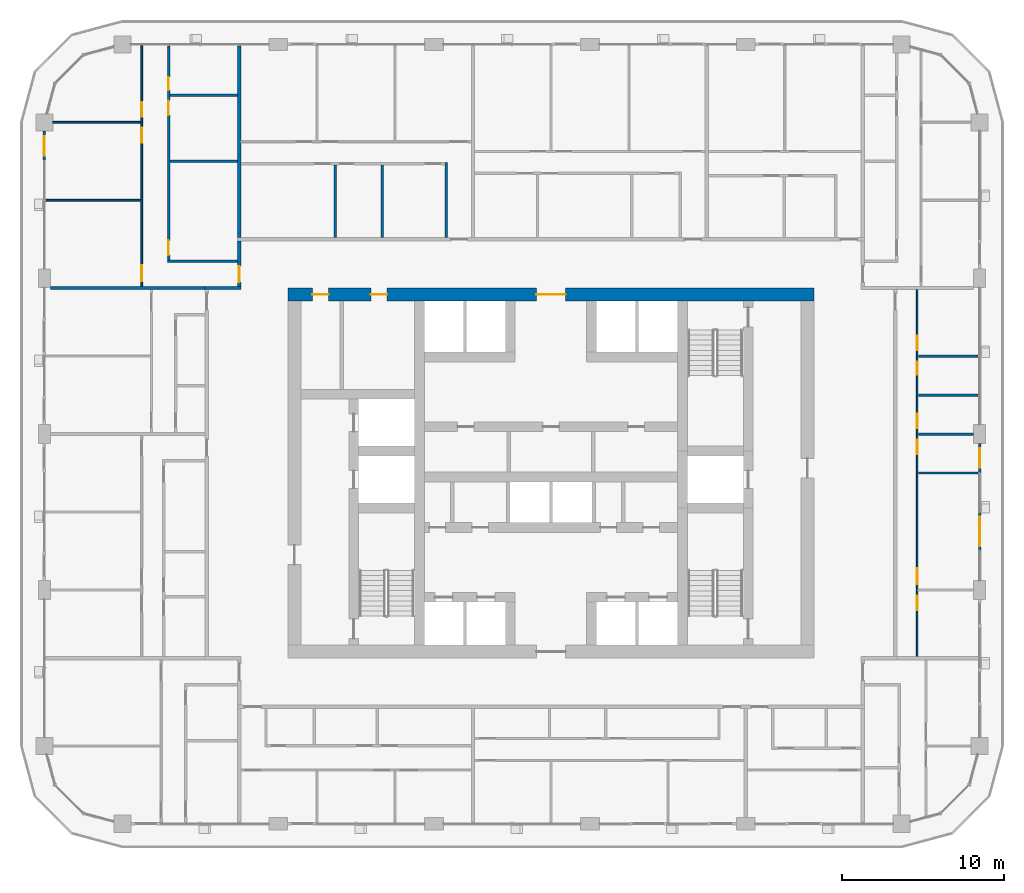
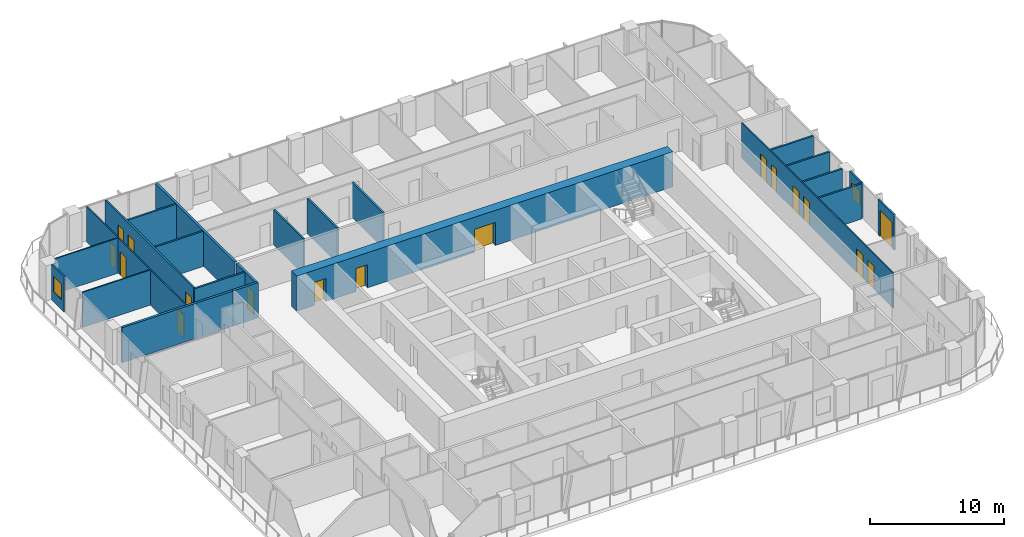
# One storey, part 13 of 22: 23 walls, 17 doors, 2 windows, 19 openings.
"""IFC4 building model written with IfcOpenShell, lengths in metres."""

from ifc_helpers import new_model, si_unit, direction, frame, frame_2d, origin, place, context, subcontext, project, spatial, rectangle, extrude, material, layer, layer_set, type_object, element, fill, save


model = new_model("IFC4")

# Units and contexts
model_context = context("Model", 3, precision=1e-05, world=origin(), true_north=direction((0.0, 1.0)))
body_context = subcontext(model_context, "Body", "Model", "MODEL_VIEW")
ifc_project = project(units=[si_unit("LENGTHUNIT", "METRE"), si_unit("AREAUNIT", "SQUARE_METRE"), si_unit("VOLUMEUNIT", "CUBIC_METRE"), si_unit("PLANEANGLEUNIT", "RADIAN"), si_unit("MASSUNIT", "GRAM", prefix="KILO")], contexts=[model_context])

# Site, building, storey
site_placement = place(None, origin())
site = spatial("IfcSite", under=ifc_project, at=site_placement, CompositionType="ELEMENT")
building_placement = place(site_placement, origin())
building = spatial("IfcBuilding", under=site, at=building_placement, Name="Madar Terraces", CompositionType="ELEMENT")
storey_placement = place(building_placement, frame((0.0, 0.0, 122.60009765625)))
storey = spatial("IfcBuildingStorey", under=building, at=storey_placement, Name="L31", CompositionType="ELEMENT", Elevation=122.60009765625)

# Wall, openings, doors
ifc_material_1 = material(Name="Concrete C70/85", Category="concrete")
ifc_layer_1 = layer(ifc_material_1, 0.800048828125)
ifc_layer_set_1 = layer_set([ifc_layer_1], Name="Concrete C70/85 (CRW3 RC wall 800)")
wall_type_1 = type_object("IfcWallType", Name="CRW3 RC wall 800", PredefinedType="SHEAR", material=ifc_layer_set_1)
wall_1_placement = place(storey_placement, frame((15.0, 37.39990234375, 0.0), z_axis=(0.0, 0.0, 1.0), x_axis=(1.0, 0.0, 0.0)))
wall_1 = element("IfcWall", 1, at=wall_1_placement, inside=storey, type_object=wall_type_1, Name="CORE OUTER WALL", PredefinedType="SHEAR", context=body_context, shape_type="SweptSolid", body=[
    extrude(rectangle(XDim=32.39990234375, YDim=0.800048828125, at=frame_2d((16.199951171875, 0.0))), origin(), (0.0, 0.0, 1.0), 3.199951171875),
])
opening_1_placement = place(wall_1_placement, frame((15.300048828125, 0.0, 0.0)))
opening_1 = element("IfcOpeningElement", 2, at=opening_1_placement, cuts=wall_1, Name="Opening KD1", PredefinedType="OPENING", context=body_context, shape_type="SweptSolid", body=[
    extrude(rectangle(XDim=1.800048828125, YDim=2.10009765625, at=frame_2d((0.89990234375, 1.050048828125))), frame((0.0, 0.409912109375, 0.0), z_axis=(0.0, -1.0, 0.0), x_axis=(1.0, 0.0, 0.0)), (0.0, 0.0, 1.0), 0.820068359375),
])
opening_2_placement = place(wall_1_placement, frame((1.510009765625, 0.0, 0.0)))
opening_2 = element("IfcOpeningElement", 3, at=opening_2_placement, cuts=wall_1, Name="Opening KD2", PredefinedType="OPENING", context=body_context, shape_type="SweptSolid", body=[
    extrude(rectangle(XDim=1.0, YDim=2.10009765625, at=frame_2d((0.5, 1.050048828125))), frame((0.0, 0.409912109375, 0.0), z_axis=(0.0, -1.0, 0.0), x_axis=(1.0, 0.0, 0.0)), (0.0, 0.0, 1.0), 0.820068359375),
])
opening_3_placement = place(wall_1_placement, frame((5.110107421875, 0.0, 0.0)))
opening_3 = element("IfcOpeningElement", 4, at=opening_3_placement, cuts=wall_1, Name="Opening KD2", PredefinedType="OPENING", context=body_context, shape_type="SweptSolid", body=[
    extrude(rectangle(XDim=1.0, YDim=2.10009765625, at=frame_2d((0.5, 1.050048828125))), frame((0.0, 0.409912109375, 0.0), z_axis=(0.0, -1.0, 0.0), x_axis=(1.0, 0.0, 0.0)), (0.0, 0.0, 1.0), 0.820068359375),
])
ifc_material_2 = material(Name="Steel door leaf", Category="steel")
door_type_1 = type_object("IfcDoorType", Name="Lobby door pair 1800 x 2100", OperationType="DOUBLE_DOOR_SINGLE_SWING", PredefinedType="DOOR", material=ifc_material_2)
door_1_placement = place(opening_1_placement, origin())
door_1 = element("IfcDoor", 5, at=door_1_placement, inside=storey, type_object=door_type_1, Name="LIFT LOBBY DOOR", OperationType="DOUBLE_DOOR_SINGLE_SWING", OverallHeight=2.10009765625, OverallWidth=1.800048828125, PredefinedType="DOOR", context=body_context, shape_type="SweptSolid", body=[
    extrude(rectangle(XDim=1.800048828125, YDim=2.10009765625, at=frame_2d((0.89990234375, 1.050048828125))), frame((0.0, 0.02490234375, 0.0), z_axis=(0.0, -1.0, 0.0), x_axis=(1.0, 0.0, 0.0)), (0.0, 0.0, 1.0), 0.050048828125),
])
fill(opening_1, door_1)
ifc_material_3 = material(Name="Steel door leaf", Category="steel")
door_type_2 = type_object("IfcDoorType", Name="Service room door 1000 x 2100", OperationType="NOTDEFINED", PredefinedType="DOOR", material=ifc_material_3)
door_2_placement = place(opening_2_placement, origin())
door_2 = element("IfcDoor", 6, at=door_2_placement, inside=storey, type_object=door_type_2, Name="SERVICE ROOM DOOR", OperationType="SINGLE_SWING_RIGHT", OverallHeight=2.10009765625, OverallWidth=1.0, PredefinedType="DOOR", context=body_context, shape_type="SweptSolid", body=[
    extrude(rectangle(XDim=1.0, YDim=2.10009765625, at=frame_2d((0.5, 1.050048828125))), frame((0.0, 0.02490234375, 0.0), z_axis=(0.0, -1.0, 0.0), x_axis=(1.0, 0.0, 0.0)), (0.0, 0.0, 1.0), 0.050048828125),
])
fill(opening_2, door_2)
door_3_placement = place(opening_3_placement, origin())
door_3 = element("IfcDoor", 7, at=door_3_placement, inside=storey, type_object=door_type_2, Name="SERVICE ROOM DOOR", OperationType="SINGLE_SWING_LEFT", OverallHeight=2.10009765625, OverallWidth=1.0, PredefinedType="DOOR", context=body_context, shape_type="SweptSolid", body=[
    extrude(rectangle(XDim=1.0, YDim=2.10009765625, at=frame_2d((0.5, 1.050048828125))), frame((0.0, 0.02490234375, 0.0), z_axis=(0.0, -1.0, 0.0), x_axis=(1.0, 0.0, 0.0)), (0.0, 0.0, 1.0), 0.050048828125),
])
fill(opening_3, door_3)

# Wall, opening, door
ifc_material_4 = material(Name="Aluminium composite panel, black, over insulated backing", Category="aluminium")
ifc_layer_2 = layer(ifc_material_4, 0.14990234375)
ifc_layer_set_2 = layer_set([ifc_layer_2], Name="Facade bay panel 150")
wall_type_2 = type_object("IfcWallType", Name="Facade bay panel 150", PredefinedType="SOLIDWALL", material=ifc_layer_set_2)
wall_2_placement = place(storey_placement, frame((57.60009765625, 21.60009765625, 0.0), z_axis=(0.0, 0.0, 1.0), x_axis=(0.0, 1.0, 0.0)))
wall_2 = element("IfcWall", 8, at=wall_2_placement, inside=storey, type_object=wall_type_2, Name="Facade bay panel", PredefinedType="SOLIDWALL", context=body_context, shape_type="SweptSolid", body=[
    extrude(rectangle(XDim=2.39990234375, YDim=0.14990234375, at=frame_2d((1.199951171875, 0.0))), origin(), (0.0, 0.0, 1.0), 3.199951171875),
])
opening_4_placement = place(wall_2_placement, frame((0.300048828125, 0.0, 0.0)))
opening_4 = element("IfcOpeningElement", 9, at=opening_4_placement, cuts=wall_2, Name="Opening ED1", PredefinedType="OPENING", context=body_context, shape_type="SweptSolid", body=[
    extrude(rectangle(XDim=1.800048828125, YDim=2.39990234375, at=frame_2d((0.89990234375, 1.199951171875))), frame((0.0, 0.0849609375, 0.0), z_axis=(0.0, -1.0, 0.0), x_axis=(1.0, 0.0, 0.0)), (0.0, 0.0, 1.0), 0.169921875),
])
ifc_material_5 = material(Name="Glass, clear, with black aluminium frame", Category="aluminium")
door_type_3 = type_object("IfcDoorType", Name="Balcony and terrace sliding door 1800 x 2400", OperationType="SLIDING_TO_LEFT", PredefinedType="DOOR", material=ifc_material_5)
door_4_placement = place(opening_4_placement, origin())
door_4 = element("IfcDoor", 10, at=door_4_placement, inside=storey, type_object=door_type_3, Name="Balcony door", OperationType="SLIDING_TO_RIGHT", OverallHeight=2.39990234375, OverallWidth=1.800048828125, PredefinedType="DOOR", context=body_context, shape_type="SweptSolid", body=[
    extrude(rectangle(XDim=1.800048828125, YDim=2.39990234375, at=frame_2d((0.89990234375, 1.199951171875))), frame((0.0, 0.02490234375, 0.0), z_axis=(0.0, -1.0, 0.0), x_axis=(1.0, 0.0, 0.0)), (0.0, 0.0, 1.0), 0.050048828125),
])
fill(opening_4, door_4)

# Wall, opening, window
wall_3_placement = place(storey_placement, frame((57.60009765625, 26.39990234375, 0.0), z_axis=(0.0, 0.0, 1.0), x_axis=(0.0, 1.0, 0.0)))
wall_3 = element("IfcWall", 11, at=wall_3_placement, inside=storey, type_object=wall_type_2, Name="Facade bay panel", PredefinedType="SOLIDWALL", context=body_context, shape_type="SweptSolid", body=[
    extrude(rectangle(XDim=1.8251953125, YDim=0.14990234375, at=frame_2d((0.91259765625, 0.0))), origin(), (0.0, 0.0, 1.0), 3.199951171875),
])
opening_5_placement = place(wall_3_placement, frame((0.3125, 0.0, 0.89990234375)))
opening_5 = element("IfcOpeningElement", 12, at=opening_5_placement, cuts=wall_3, Name="Opening W1", PredefinedType="OPENING", context=body_context, shape_type="SweptSolid", body=[
    extrude(rectangle(XDim=1.199951171875, YDim=1.39990234375, at=frame_2d((0.60009765625, 0.699951171875))), frame((0.0, 0.0849609375, 0.0), z_axis=(0.0, -1.0, 0.0), x_axis=(1.0, 0.0, 0.0)), (0.0, 0.0, 1.0), 0.169921875),
])
ifc_material_6 = material(Name="Glass, clear, with black aluminium frame", Category="aluminium")
window_type = type_object("IfcWindowType", Name="Vent window 1200 x 1400", PartitioningType="SINGLE_PANEL", PredefinedType="WINDOW", material=ifc_material_6)
window_1_placement = place(opening_5_placement, origin())
window_1 = element("IfcWindow", 13, at=window_1_placement, inside=storey, type_object=window_type, Name="Operable vent window", OverallHeight=1.39990234375, OverallWidth=1.199951171875, PartitioningType="SINGLE_PANEL", PredefinedType="WINDOW", context=body_context, shape_type="SweptSolid", body=[
    extrude(rectangle(XDim=1.199951171875, YDim=1.39990234375, at=frame_2d((0.60009765625, 0.699951171875))), frame((0.0, 0.030029296875, 0.0), z_axis=(0.0, -1.0, 0.0), x_axis=(1.0, 0.0, 0.0)), (0.0, 0.0, 1.0), 0.06005859375),
])
fill(opening_5, window_1)

wall_4_placement = place(storey_placement, frame((0.0, 47.47509765625, 0.0), z_axis=(0.0, 0.0, 1.0), x_axis=(0.0, -1.0, 0.0)))
wall_4 = element("IfcWall", 14, at=wall_4_placement, inside=storey, type_object=wall_type_2, Name="Facade bay panel", PredefinedType="SOLIDWALL", context=body_context, shape_type="SweptSolid", body=[
    extrude(rectangle(XDim=1.875, YDim=0.14990234375, at=frame_2d((0.9375, 0.0))), origin(), (0.0, 0.0, 1.0), 3.199951171875),
])
opening_6_placement = place(wall_4_placement, frame((0.33740234375, 0.0, 0.89990234375)))
opening_6 = element("IfcOpeningElement", 15, at=opening_6_placement, cuts=wall_4, Name="Opening W1", PredefinedType="OPENING", context=body_context, shape_type="SweptSolid", body=[
    extrude(rectangle(XDim=1.199951171875, YDim=1.39990234375, at=frame_2d((0.60009765625, 0.699951171875))), frame((0.0, 0.0849609375, 0.0), z_axis=(0.0, -1.0, 0.0), x_axis=(1.0, 0.0, 0.0)), (0.0, 0.0, 1.0), 0.169921875),
])
window_2_placement = place(opening_6_placement, origin())
window_2 = element("IfcWindow", 16, at=window_2_placement, inside=storey, type_object=window_type, Name="Operable vent window", OverallHeight=1.39990234375, OverallWidth=1.199951171875, PartitioningType="SINGLE_PANEL", PredefinedType="WINDOW", context=body_context, shape_type="SweptSolid", body=[
    extrude(rectangle(XDim=1.199951171875, YDim=1.39990234375, at=frame_2d((0.60009765625, 0.699951171875))), frame((0.0, 0.030029296875, 0.0), z_axis=(0.0, -1.0, 0.0), x_axis=(1.0, 0.0, 0.0)), (0.0, 0.0, 1.0), 0.06005859375),
])
fill(opening_6, window_2)

# Wall, openings, doors
ifc_material_7 = material(Name="Gypsum board on steel studs", Category="steel")
ifc_layer_3 = layer(ifc_material_7, 0.10009765625)
ifc_layer_set_3 = layer_set([ifc_layer_3], Name="Flat partition 100")
wall_type_3 = type_object("IfcWallType", Name="Flat partition 100", PredefinedType="PARTITIONING", material=ifc_layer_set_3)
wall_5_placement = place(storey_placement, frame((53.75, 37.699951171875, 0.0), z_axis=(0.0, 0.0, 1.0), x_axis=(0.0, -1.0, 0.0)))
wall_5 = element("IfcWall", 17, at=wall_5_placement, inside=storey, type_object=wall_type_3, Name="Flat partition 100", PredefinedType="PARTITIONING", context=body_context, shape_type="SweptSolid", body=[
    extrude(rectangle(XDim=22.599853515625, YDim=0.10009765625, at=frame_2d((11.2998046875, 0.0))), origin(), (0.0, 0.0, 1.0), 3.199951171875),
])
opening_7_placement = place(wall_5_placement, frame((2.85009765625, 0.0, 0.0)))
opening_7 = element("IfcOpeningElement", 18, at=opening_7_placement, cuts=wall_5, Name="Opening D2", PredefinedType="OPENING", context=body_context, shape_type="SweptSolid", body=[
    extrude(rectangle(XDim=0.89990234375, YDim=2.10009765625, at=frame_2d((0.449951171875, 1.050048828125))), frame((0.0, 0.06005859375, 0.0), z_axis=(0.0, -1.0, 0.0), x_axis=(1.0, 0.0, 0.0)), (0.0, 0.0, 1.0), 0.1201171875),
])
opening_8_placement = place(wall_5_placement, frame((4.449951171875, 0.0, 0.0)))
opening_8 = element("IfcOpeningElement", 19, at=opening_8_placement, cuts=wall_5, Name="Opening D4", PredefinedType="OPENING", context=body_context, shape_type="SweptSolid", body=[
    extrude(rectangle(XDim=0.800048828125, YDim=2.10009765625, at=frame_2d((0.39990234375, 1.050048828125))), frame((0.0, 0.06005859375, 0.0), z_axis=(0.0, -1.0, 0.0), x_axis=(1.0, 0.0, 0.0)), (0.0, 0.0, 1.0), 0.1201171875),
])
opening_9_placement = place(wall_5_placement, frame((7.64990234375, 0.0, 0.0)))
opening_9 = element("IfcOpeningElement", 20, at=opening_9_placement, cuts=wall_5, Name="Opening D5", PredefinedType="OPENING", context=body_context, shape_type="SweptSolid", body=[
    extrude(rectangle(XDim=0.89990234375, YDim=2.10009765625, at=frame_2d((0.449951171875, 1.050048828125))), frame((0.0, 0.06005859375, 0.0), z_axis=(0.0, -1.0, 0.0), x_axis=(1.0, 0.0, 0.0)), (0.0, 0.0, 1.0), 0.1201171875),
])
opening_10_placement = place(wall_5_placement, frame((9.25, 0.0, 0.0)))
opening_10 = element("IfcOpeningElement", 21, at=opening_10_placement, cuts=wall_5, Name="Opening D2", PredefinedType="OPENING", context=body_context, shape_type="SweptSolid", body=[
    extrude(rectangle(XDim=0.89990234375, YDim=2.10009765625, at=frame_2d((0.449951171875, 1.050048828125))), frame((0.0, 0.06005859375, 0.0), z_axis=(0.0, -1.0, 0.0), x_axis=(1.0, 0.0, 0.0)), (0.0, 0.0, 1.0), 0.1201171875),
])
opening_11_placement = place(wall_5_placement, frame((17.14990234375, 0.0, 0.0)))
opening_11 = element("IfcOpeningElement", 22, at=opening_11_placement, cuts=wall_5, Name="Opening D3", PredefinedType="OPENING", context=body_context, shape_type="SweptSolid", body=[
    extrude(rectangle(XDim=1.0, YDim=2.10009765625, at=frame_2d((0.5, 1.050048828125))), frame((0.0, 0.06005859375, 0.0), z_axis=(0.0, -1.0, 0.0), x_axis=(1.0, 0.0, 0.0)), (0.0, 0.0, 1.0), 0.1201171875),
])
opening_12_placement = place(wall_5_placement, frame((18.85009765625, 0.0, 0.0)))
opening_12 = element("IfcOpeningElement", 23, at=opening_12_placement, cuts=wall_5, Name="Opening D2", PredefinedType="OPENING", context=body_context, shape_type="SweptSolid", body=[
    extrude(rectangle(XDim=0.89990234375, YDim=2.10009765625, at=frame_2d((0.449951171875, 1.050048828125))), frame((0.0, 0.06005859375, 0.0), z_axis=(0.0, -1.0, 0.0), x_axis=(1.0, 0.0, 0.0)), (0.0, 0.0, 1.0), 0.1201171875),
])
ifc_material_8 = material(Name="Timber door leaf", Category="wood")
door_type_4 = type_object("IfcDoorType", Name="Flat accessible bathroom door 900", OperationType="NOTDEFINED", PredefinedType="DOOR", material=ifc_material_8)
door_5_placement = place(opening_9_placement, origin())
door_5 = element("IfcDoor", 24, at=door_5_placement, inside=storey, type_object=door_type_4, Name="Flat accessible bathroom door 900", OperationType="SINGLE_SWING_RIGHT", OverallHeight=2.10009765625, OverallWidth=0.89990234375, PredefinedType="DOOR", context=body_context, shape_type="SweptSolid", body=[
    extrude(rectangle(XDim=0.89990234375, YDim=2.10009765625, at=frame_2d((0.449951171875, 1.050048828125))), frame((0.0, 0.02490234375, 0.0), z_axis=(0.0, -1.0, 0.0), x_axis=(1.0, 0.0, 0.0)), (0.0, 0.0, 1.0), 0.050048828125),
])
fill(opening_9, door_5)
ifc_material_9 = material(Name="Timber door leaf", Category="wood")
door_type_5 = type_object("IfcDoorType", Name="Flat bathroom door 800", OperationType="NOTDEFINED", PredefinedType="DOOR", material=ifc_material_9)
door_6_placement = place(opening_8_placement, origin())
door_6 = element("IfcDoor", 25, at=door_6_placement, inside=storey, type_object=door_type_5, Name="Flat bathroom door 800", OperationType="SINGLE_SWING_LEFT", OverallHeight=2.10009765625, OverallWidth=0.800048828125, PredefinedType="DOOR", context=body_context, shape_type="SweptSolid", body=[
    extrude(rectangle(XDim=0.800048828125, YDim=2.10009765625, at=frame_2d((0.39990234375, 1.050048828125))), frame((0.0, 0.02490234375, 0.0), z_axis=(0.0, -1.0, 0.0), x_axis=(1.0, 0.0, 0.0)), (0.0, 0.0, 1.0), 0.050048828125),
])
fill(opening_8, door_6)
ifc_material_10 = material(Name="Timber door leaf", Category="wood")
door_type_6 = type_object("IfcDoorType", Name="Flat living room door 1000", OperationType="NOTDEFINED", PredefinedType="DOOR", material=ifc_material_10)
door_7_placement = place(opening_11_placement, origin())
door_7 = element("IfcDoor", 26, at=door_7_placement, inside=storey, type_object=door_type_6, Name="Flat living room door 1000", OperationType="SINGLE_SWING_RIGHT", OverallHeight=2.10009765625, OverallWidth=1.0, PredefinedType="DOOR", context=body_context, shape_type="SweptSolid", body=[
    extrude(rectangle(XDim=1.0, YDim=2.10009765625, at=frame_2d((0.5, 1.050048828125))), frame((0.0, 0.02490234375, 0.0), z_axis=(0.0, -1.0, 0.0), x_axis=(1.0, 0.0, 0.0)), (0.0, 0.0, 1.0), 0.050048828125),
])
fill(opening_11, door_7)
ifc_material_11 = material(Name="Timber door leaf", Category="wood")
door_type_7 = type_object("IfcDoorType", Name="Flat room door 900", OperationType="NOTDEFINED", PredefinedType="DOOR", material=ifc_material_11)
door_8_placement = place(opening_7_placement, origin())
door_8 = element("IfcDoor", 27, at=door_8_placement, inside=storey, type_object=door_type_7, Name="Flat room door 900", OperationType="SINGLE_SWING_RIGHT", OverallHeight=2.10009765625, OverallWidth=0.89990234375, PredefinedType="DOOR", context=body_context, shape_type="SweptSolid", body=[
    extrude(rectangle(XDim=0.89990234375, YDim=2.10009765625, at=frame_2d((0.449951171875, 1.050048828125))), frame((0.0, 0.02490234375, 0.0), z_axis=(0.0, -1.0, 0.0), x_axis=(1.0, 0.0, 0.0)), (0.0, 0.0, 1.0), 0.050048828125),
])
fill(opening_7, door_8)
door_9_placement = place(opening_10_placement, origin())
door_9 = element("IfcDoor", 28, at=door_9_placement, inside=storey, type_object=door_type_7, Name="Flat room door 900", OperationType="SINGLE_SWING_LEFT", OverallHeight=2.10009765625, OverallWidth=0.89990234375, PredefinedType="DOOR", context=body_context, shape_type="SweptSolid", body=[
    extrude(rectangle(XDim=0.89990234375, YDim=2.10009765625, at=frame_2d((0.449951171875, 1.050048828125))), frame((0.0, 0.02490234375, 0.0), z_axis=(0.0, -1.0, 0.0), x_axis=(1.0, 0.0, 0.0)), (0.0, 0.0, 1.0), 0.050048828125),
])
fill(opening_10, door_9)
door_10_placement = place(opening_12_placement, origin())
door_10 = element("IfcDoor", 29, at=door_10_placement, inside=storey, type_object=door_type_7, Name="Flat room door 900", OperationType="SINGLE_SWING_LEFT", OverallHeight=2.10009765625, OverallWidth=0.89990234375, PredefinedType="DOOR", context=body_context, shape_type="SweptSolid", body=[
    extrude(rectangle(XDim=0.89990234375, YDim=2.10009765625, at=frame_2d((0.449951171875, 1.050048828125))), frame((0.0, 0.02490234375, 0.0), z_axis=(0.0, -1.0, 0.0), x_axis=(1.0, 0.0, 0.0)), (0.0, 0.0, 1.0), 0.050048828125),
])
fill(opening_12, door_10)

# Walls
wall_6_placement = place(storey_placement, frame((5.949951171875, 43.199951171875, 0.0), z_axis=(0.0, 0.0, 1.0), x_axis=(-1.0, 0.0, 0.0)))
element("IfcWall", 30, at=wall_6_placement, inside=storey, type_object=wall_type_3, Name="Flat partition 100", PredefinedType="PARTITIONING", context=body_context, shape_type="SweptSolid", body=[
    extrude(rectangle(XDim=5.849853515625, YDim=0.10009765625, at=frame_2d((2.9248046875, 0.0))), origin(), (0.0, 0.0, 1.0), 3.199951171875),
])
wall_7_placement = place(storey_placement, frame((5.949951171875, 48.0, 0.0), z_axis=(0.0, 0.0, 1.0), x_axis=(-1.0, 0.0, 0.0)))
element("IfcWall", 31, at=wall_7_placement, inside=storey, type_object=wall_type_3, Name="Flat partition 100", PredefinedType="PARTITIONING", context=body_context, shape_type="SweptSolid", body=[
    extrude(rectangle(XDim=5.425048828125, YDim=0.10009765625, at=frame_2d((2.71240234375, 0.0))), origin(), (0.0, 0.0, 1.0), 3.199951171875),
])

# Wall, openings, doors
wall_8_placement = place(storey_placement, frame((6.0, 37.89990234375, 0.0), z_axis=(0.0, 0.0, 1.0), x_axis=(0.0, 1.0, 0.0)))
wall_8 = element("IfcWall", 32, at=wall_8_placement, inside=storey, type_object=wall_type_3, Name="Flat partition 100", PredefinedType="PARTITIONING", context=body_context, shape_type="SweptSolid", body=[
    extrude(rectangle(XDim=14.800048828125, YDim=0.10009765625, at=frame_2d((7.39990234375, 0.0))), origin(), (0.0, 0.0, 1.0), 3.199951171875),
])
opening_13_placement = place(wall_8_placement, frame((0.300048828125, 0.0, 0.0)))
opening_13 = element("IfcOpeningElement", 33, at=opening_13_placement, cuts=wall_8, Name="Opening D3", PredefinedType="OPENING", context=body_context, shape_type="SweptSolid", body=[
    extrude(rectangle(XDim=1.0, YDim=2.10009765625, at=frame_2d((0.5, 1.050048828125))), frame((0.0, 0.06005859375, 0.0), z_axis=(0.0, -1.0, 0.0), x_axis=(1.0, 0.0, 0.0)), (0.0, 0.0, 1.0), 0.1201171875),
])
opening_14_placement = place(wall_8_placement, frame((8.85009765625, 0.0, 0.0)))
opening_14 = element("IfcOpeningElement", 34, at=opening_14_placement, cuts=wall_8, Name="Opening D2", PredefinedType="OPENING", context=body_context, shape_type="SweptSolid", body=[
    extrude(rectangle(XDim=0.89990234375, YDim=2.10009765625, at=frame_2d((0.449951171875, 1.050048828125))), frame((0.0, 0.06005859375, 0.0), z_axis=(0.0, -1.0, 0.0), x_axis=(1.0, 0.0, 0.0)), (0.0, 0.0, 1.0), 0.1201171875),
])
opening_15_placement = place(wall_8_placement, frame((10.449951171875, 0.0, 0.0)))
opening_15 = element("IfcOpeningElement", 35, at=opening_15_placement, cuts=wall_8, Name="Opening D2", PredefinedType="OPENING", context=body_context, shape_type="SweptSolid", body=[
    extrude(rectangle(XDim=0.89990234375, YDim=2.10009765625, at=frame_2d((0.449951171875, 1.050048828125))), frame((0.0, 0.06005859375, 0.0), z_axis=(0.0, -1.0, 0.0), x_axis=(1.0, 0.0, 0.0)), (0.0, 0.0, 1.0), 0.1201171875),
])
door_11_placement = place(opening_13_placement, origin())
door_11 = element("IfcDoor", 36, at=door_11_placement, inside=storey, type_object=door_type_6, Name="Flat living room door 1000", OperationType="SINGLE_SWING_LEFT", OverallHeight=2.10009765625, OverallWidth=1.0, PredefinedType="DOOR", context=body_context, shape_type="SweptSolid", body=[
    extrude(rectangle(XDim=1.0, YDim=2.10009765625, at=frame_2d((0.5, 1.050048828125))), frame((0.0, 0.02490234375, 0.0), z_axis=(0.0, -1.0, 0.0), x_axis=(1.0, 0.0, 0.0)), (0.0, 0.0, 1.0), 0.050048828125),
])
fill(opening_13, door_11)
door_12_placement = place(opening_14_placement, origin())
door_12 = element("IfcDoor", 37, at=door_12_placement, inside=storey, type_object=door_type_7, Name="Flat room door 900", OperationType="SINGLE_SWING_RIGHT", OverallHeight=2.10009765625, OverallWidth=0.89990234375, PredefinedType="DOOR", context=body_context, shape_type="SweptSolid", body=[
    extrude(rectangle(XDim=0.89990234375, YDim=2.10009765625, at=frame_2d((0.449951171875, 1.050048828125))), frame((0.0, 0.02490234375, 0.0), z_axis=(0.0, -1.0, 0.0), x_axis=(1.0, 0.0, 0.0)), (0.0, 0.0, 1.0), 0.050048828125),
])
fill(opening_14, door_12)
door_13_placement = place(opening_15_placement, origin())
door_13 = element("IfcDoor", 38, at=door_13_placement, inside=storey, type_object=door_type_7, Name="Flat room door 900", OperationType="SINGLE_SWING_LEFT", OverallHeight=2.10009765625, OverallWidth=0.89990234375, PredefinedType="DOOR", context=body_context, shape_type="SweptSolid", body=[
    extrude(rectangle(XDim=0.89990234375, YDim=2.10009765625, at=frame_2d((0.449951171875, 1.050048828125))), frame((0.0, 0.02490234375, 0.0), z_axis=(0.0, -1.0, 0.0), x_axis=(1.0, 0.0, 0.0)), (0.0, 0.0, 1.0), 0.050048828125),
])
fill(opening_15, door_13)

# Wall, opening, door
ifc_material_12 = material(Name="Lightweight blockwork", Category="masonry")
ifc_layer_4 = layer(ifc_material_12, 0.199951171875)
ifc_layer_set_4 = layer_set([ifc_layer_4], Name="Flat party and entrance wall 200")
wall_type_4 = type_object("IfcWallType", Name="Flat party and entrance wall 200", PredefinedType="PARTITIONING", material=ifc_layer_set_4)
wall_9_placement = place(storey_placement, frame((12.0, 37.89990234375, 0.0), z_axis=(0.0, 0.0, 1.0), x_axis=(0.0, 1.0, 0.0)))
wall_9 = element("IfcWall", 39, at=wall_9_placement, inside=storey, type_object=wall_type_4, Name="Flat party and entrance wall 200", PredefinedType="PARTITIONING", context=body_context, shape_type="SweptSolid", body=[
    extrude(rectangle(XDim=2.800048828125, YDim=0.199951171875, at=frame_2d((1.39990234375, 0.0))), origin(), (0.0, 0.0, 1.0), 3.199951171875),
])
opening_16_placement = place(wall_9_placement, frame((0.25, 0.0, 0.0)))
opening_16 = element("IfcOpeningElement", 40, at=opening_16_placement, cuts=wall_9, Name="Opening D1", PredefinedType="OPENING", context=body_context, shape_type="SweptSolid", body=[
    extrude(rectangle(XDim=1.0, YDim=2.10009765625, at=frame_2d((0.5, 1.050048828125))), frame((0.0, 0.10986328125, 0.0), z_axis=(0.0, -1.0, 0.0), x_axis=(1.0, 0.0, 0.0)), (0.0, 0.0, 1.0), 0.219970703125),
])
ifc_material_13 = material(Name="Timber fire door leaf", Category="wood")
door_type_8 = type_object("IfcDoorType", Name="Flat entrance door 1000 FD30S", OperationType="NOTDEFINED", PredefinedType="DOOR", material=ifc_material_13)
door_14_placement = place(opening_16_placement, origin())
door_14 = element("IfcDoor", 41, at=door_14_placement, inside=storey, type_object=door_type_8, Name="Flat entrance door 1000 FD30S", OperationType="SINGLE_SWING_LEFT", OverallHeight=2.10009765625, OverallWidth=1.0, PredefinedType="DOOR", context=body_context, shape_type="SweptSolid", body=[
    extrude(rectangle(XDim=1.0, YDim=2.10009765625, at=frame_2d((0.5, 1.050048828125))), frame((0.0, 0.02490234375, 0.0), z_axis=(0.0, -1.0, 0.0), x_axis=(1.0, 0.0, 0.0)), (0.0, 0.0, 1.0), 0.050048828125),
])
fill(opening_16, door_14)

# Walls
wall_10_placement = place(storey_placement, frame((12.10009765625, 37.800048828125, 0.0), z_axis=(0.0, 0.0, 1.0), x_axis=(-1.0, 0.0, 0.0)))
element("IfcWall", 42, at=wall_10_placement, inside=storey, type_object=wall_type_4, Name="Flat party and entrance wall 200", PredefinedType="PARTITIONING", context=body_context, shape_type="SweptSolid", body=[
    extrude(rectangle(XDim=2.2001953125, YDim=0.199951171875, at=frame_2d((1.10009765625, 0.0))), origin(), (0.0, 0.0, 1.0), 3.199951171875),
])
wall_11_placement = place(storey_placement, frame((12.0, 52.699951171875, 0.0), z_axis=(0.0, 0.0, 1.0), x_axis=(0.0, -1.0, 0.0)))
element("IfcWall", 43, at=wall_11_placement, inside=storey, type_object=wall_type_4, Name="Flat party and entrance wall 200", PredefinedType="PARTITIONING", context=body_context, shape_type="SweptSolid", body=[
    extrude(rectangle(XDim=11.800048828125, YDim=0.199951171875, at=frame_2d((5.89990234375, 0.0))), origin(), (0.0, 0.0, 1.0), 3.199951171875),
])
wall_12_placement = place(storey_placement, frame((0.375, 37.800048828125, 0.0), z_axis=(0.0, 0.0, 1.0), x_axis=(1.0, 0.0, 0.0)))
element("IfcWall", 44, at=wall_12_placement, inside=storey, type_object=wall_type_4, Name="Flat party and entrance wall 200", PredefinedType="PARTITIONING", context=body_context, shape_type="SweptSolid", body=[
    extrude(rectangle(XDim=9.52490234375, YDim=0.199951171875, at=frame_2d((4.762451171875, 0.0))), origin(), (0.0, 0.0, 1.0), 3.199951171875),
])
ifc_material_14 = material(Name="Lightweight blockwork", Category="masonry")
ifc_layer_5 = layer(ifc_material_14, 0.14990234375)
ifc_layer_set_5 = layer_set([ifc_layer_5], Name="Flat wet-room partition 150")
wall_type_5 = type_object("IfcWallType", Name="Flat wet-room partition 150", PredefinedType="PARTITIONING", material=ifc_layer_set_5)
for number, where, z_axis, x_axis, name in (
    (45, (53.824951171875, 33.60009765625, 0.0), (0.0, 0.0, 1.0), (1.0, 0.0, 0.0), "Flat wet-room partition 150"),
    (46, (53.824951171875, 31.199951171875, 0.0), (0.0, 0.0, 1.0), (1.0, 0.0, 0.0), "Flat wet-room partition 150"),
):
    element("IfcWall", number, at=place(storey_placement, frame(where, z_axis=z_axis, x_axis=x_axis)), inside=storey, type_object=wall_type_5, Name=name, PredefinedType="PARTITIONING", context=body_context, shape_type="SweptSolid", body=[
        extrude(rectangle(XDim=3.675048828125, YDim=0.14990234375, at=frame_2d((1.83740234375, 0.0))), origin(), (0.0, 0.0, 1.0), 3.199951171875),
    ])
wall_13_placement = place(storey_placement, frame((53.824951171875, 28.800048828125, 0.0), z_axis=(0.0, 0.0, 1.0), x_axis=(1.0, 0.0, 0.0)))
element("IfcWall", 47, at=wall_13_placement, inside=storey, type_object=wall_type_5, Name="Flat wet-room partition 150", PredefinedType="PARTITIONING", context=body_context, shape_type="SweptSolid", body=[
    extrude(rectangle(XDim=3.400146484375, YDim=0.14990234375, at=frame_2d((1.7001953125, 0.0))), origin(), (0.0, 0.0, 1.0), 3.199951171875),
])
wall_14_placement = place(storey_placement, frame((53.824951171875, 26.39990234375, 0.0), z_axis=(0.0, 0.0, 1.0), x_axis=(1.0, 0.0, 0.0)))
element("IfcWall", 48, at=wall_14_placement, inside=storey, type_object=wall_type_5, Name="Flat wet-room partition 150", PredefinedType="PARTITIONING", context=body_context, shape_type="SweptSolid", body=[
    extrude(rectangle(XDim=3.675048828125, YDim=0.14990234375, at=frame_2d((1.83740234375, 0.0))), origin(), (0.0, 0.0, 1.0), 3.199951171875),
])
for number, where, z_axis, x_axis, name in (
    (49, (20.805908203125, 40.89990234375, 0.0), (0.0, 0.0, 1.0), (0.0, 1.0, 0.0), "Flat wet-room partition 150"),
    (50, (17.90380859375, 40.89990234375, 0.0), (0.0, 0.0, 1.0), (0.0, 1.0, 0.0), "Flat wet-room partition 150"),
):
    element("IfcWall", number, at=place(storey_placement, frame(where, z_axis=z_axis, x_axis=x_axis)), inside=storey, type_object=wall_type_5, Name=name, PredefinedType="PARTITIONING", context=body_context, shape_type="SweptSolid", body=[
        extrude(rectangle(XDim=4.47509765625, YDim=0.14990234375, at=frame_2d((2.237548828125, 0.0))), origin(), (0.0, 0.0, 1.0), 3.199951171875),
    ])
wall_15_placement = place(storey_placement, frame((24.75, 40.89990234375, 0.0), z_axis=(0.0, 0.0, 1.0), x_axis=(0.0, 1.0, 0.0)))
element("IfcWall", 51, at=wall_15_placement, inside=storey, type_object=wall_type_5, Name="Flat wet-room partition 150", PredefinedType="PARTITIONING", context=body_context, shape_type="SweptSolid", body=[
    extrude(rectangle(XDim=4.625, YDim=0.14990234375, at=frame_2d((2.3125, 0.0))), origin(), (0.0, 0.0, 1.0), 3.199951171875),
])
for number, where, z_axis, x_axis, name in (
    (52, (11.89990234375, 45.605712890625, 0.0), (0.0, 0.0, 1.0), (-1.0, 0.0, 0.0), "Flat wet-room partition 150"),
    (53, (11.89990234375, 49.65966796875, 0.0), (0.0, 0.0, 1.0), (-1.0, 0.0, 0.0), "Flat wet-room partition 150"),
):
    element("IfcWall", number, at=place(storey_placement, frame(where, z_axis=z_axis, x_axis=x_axis)), inside=storey, type_object=wall_type_5, Name=name, PredefinedType="PARTITIONING", context=body_context, shape_type="SweptSolid", body=[
        extrude(rectangle(XDim=4.1748046875, YDim=0.14990234375, at=frame_2d((2.08740234375, 0.0))), origin(), (0.0, 0.0, 1.0), 3.199951171875),
    ])
wall_16_placement = place(storey_placement, frame((11.89990234375, 39.449951171875, 0.0), z_axis=(0.0, 0.0, 1.0), x_axis=(-1.0, 0.0, 0.0)))
element("IfcWall", 54, at=wall_16_placement, inside=storey, type_object=wall_type_5, Name="Flat wet-room partition 150", PredefinedType="PARTITIONING", context=body_context, shape_type="SweptSolid", body=[
    extrude(rectangle(XDim=4.324951171875, YDim=0.14990234375, at=frame_2d((2.16259765625, 0.0))), origin(), (0.0, 0.0, 1.0), 3.199951171875),
])

# Wall, openings, doors
wall_17_placement = place(storey_placement, frame((7.64990234375, 52.699951171875, 0.0), z_axis=(0.0, 0.0, 1.0), x_axis=(0.0, -1.0, 0.0)))
wall_17 = element("IfcWall", 55, at=wall_17_placement, inside=storey, type_object=wall_type_5, Name="Flat wet-room partition 150", PredefinedType="PARTITIONING", context=body_context, shape_type="SweptSolid", body=[
    extrude(rectangle(XDim=13.175048828125, YDim=0.14990234375, at=frame_2d((6.58740234375, 0.0))), origin(), (0.0, 0.0, 1.0), 3.199951171875),
])
opening_17_placement = place(wall_17_placement, frame((11.97509765625, 0.0, 0.0)))
opening_17 = element("IfcOpeningElement", 56, at=opening_17_placement, cuts=wall_17, Name="Opening D2", PredefinedType="OPENING", context=body_context, shape_type="SweptSolid", body=[
    extrude(rectangle(XDim=0.89990234375, YDim=2.10009765625, at=frame_2d((0.449951171875, 1.050048828125))), frame((0.0, 0.0849609375, 0.0), z_axis=(0.0, -1.0, 0.0), x_axis=(1.0, 0.0, 0.0)), (0.0, 0.0, 1.0), 0.169921875),
])
opening_18_placement = place(wall_17_placement, frame((3.365478515625, 0.0, 0.0)))
opening_18 = element("IfcOpeningElement", 57, at=opening_18_placement, cuts=wall_17, Name="Opening D5", PredefinedType="OPENING", context=body_context, shape_type="SweptSolid", body=[
    extrude(rectangle(XDim=0.89990234375, YDim=2.10009765625, at=frame_2d((0.449951171875, 1.050048828125))), frame((0.0, 0.0849609375, 0.0), z_axis=(0.0, -1.0, 0.0), x_axis=(1.0, 0.0, 0.0)), (0.0, 0.0, 1.0), 0.169921875),
])
opening_19_placement = place(wall_17_placement, frame((1.915283203125, 0.0, 0.0)))
opening_19 = element("IfcOpeningElement", 58, at=opening_19_placement, cuts=wall_17, Name="Opening D4", PredefinedType="OPENING", context=body_context, shape_type="SweptSolid", body=[
    extrude(rectangle(XDim=0.800048828125, YDim=2.10009765625, at=frame_2d((0.39990234375, 1.050048828125))), frame((0.0, 0.0849609375, 0.0), z_axis=(0.0, -1.0, 0.0), x_axis=(1.0, 0.0, 0.0)), (0.0, 0.0, 1.0), 0.169921875),
])
door_15_placement = place(opening_18_placement, origin())
door_15 = element("IfcDoor", 59, at=door_15_placement, inside=storey, type_object=door_type_4, Name="Flat accessible bathroom door 900", OperationType="SINGLE_SWING_LEFT", OverallHeight=2.10009765625, OverallWidth=0.89990234375, PredefinedType="DOOR", context=body_context, shape_type="SweptSolid", body=[
    extrude(rectangle(XDim=0.89990234375, YDim=2.10009765625, at=frame_2d((0.449951171875, 1.050048828125))), frame((0.0, 0.02490234375, 0.0), z_axis=(0.0, -1.0, 0.0), x_axis=(1.0, 0.0, 0.0)), (0.0, 0.0, 1.0), 0.050048828125),
])
fill(opening_18, door_15)
door_16_placement = place(opening_19_placement, origin())
door_16 = element("IfcDoor", 60, at=door_16_placement, inside=storey, type_object=door_type_5, Name="Flat bathroom door 800", OperationType="SINGLE_SWING_RIGHT", OverallHeight=2.10009765625, OverallWidth=0.800048828125, PredefinedType="DOOR", context=body_context, shape_type="SweptSolid", body=[
    extrude(rectangle(XDim=0.800048828125, YDim=2.10009765625, at=frame_2d((0.39990234375, 1.050048828125))), frame((0.0, 0.02490234375, 0.0), z_axis=(0.0, -1.0, 0.0), x_axis=(1.0, 0.0, 0.0)), (0.0, 0.0, 1.0), 0.050048828125),
])
fill(opening_19, door_16)
door_17_placement = place(opening_17_placement, origin())
door_17 = element("IfcDoor", 61, at=door_17_placement, inside=storey, type_object=door_type_7, Name="Flat room door 900", OperationType="SINGLE_SWING_RIGHT", OverallHeight=2.10009765625, OverallWidth=0.89990234375, PredefinedType="DOOR", context=body_context, shape_type="SweptSolid", body=[
    extrude(rectangle(XDim=0.89990234375, YDim=2.10009765625, at=frame_2d((0.449951171875, 1.050048828125))), frame((0.0, 0.02490234375, 0.0), z_axis=(0.0, -1.0, 0.0), x_axis=(1.0, 0.0, 0.0)), (0.0, 0.0, 1.0), 0.050048828125),
])
fill(opening_17, door_17)

save(model, "model.ifc")
